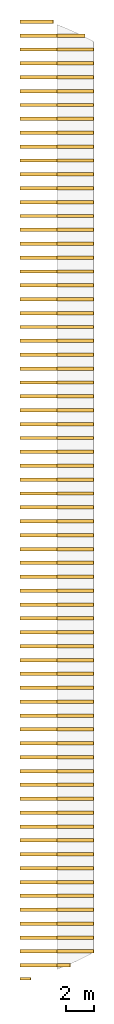
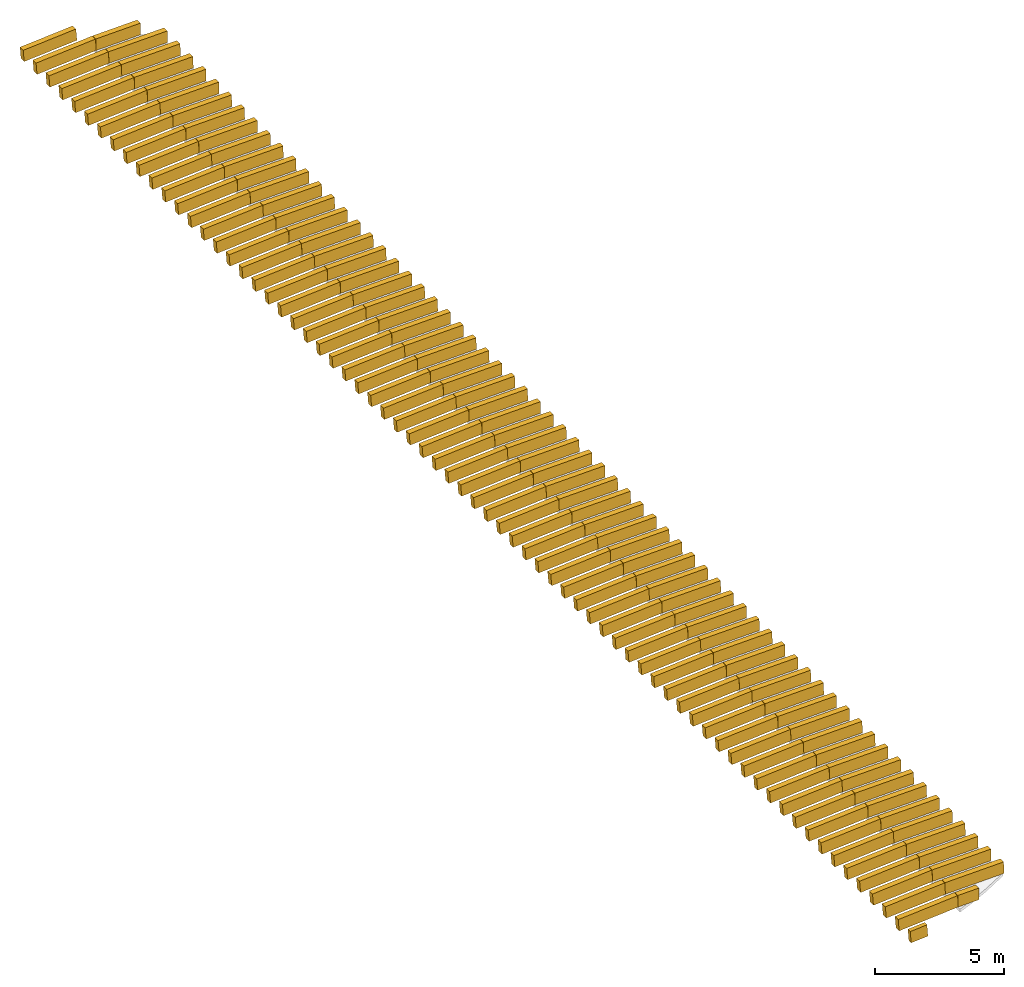
# One storey, part 2 of 2: 138 coverings.
"""IFC4 building model written with IfcOpenShell, lengths in metres."""

from ifc_helpers import new_model, si_unit, direction, frame, origin, place, context, subcontext, project, spatial, polyline, outline, extrude, material, type_object, element, save


model = new_model("IFC4")

# Units and contexts
model_context = context("Model", 3, precision=1e-05, world=origin(), true_north=direction((0.0, 1.0)))
body_context = subcontext(model_context, "Body", "Model", "MODEL_VIEW")
ifc_project = project(units=[si_unit("LENGTHUNIT", "METRE"), si_unit("AREAUNIT", "SQUARE_METRE"), si_unit("VOLUMEUNIT", "CUBIC_METRE"), si_unit("PLANEANGLEUNIT", "RADIAN"), si_unit("MASSUNIT", "GRAM", prefix="KILO")], contexts=[model_context])

# Site, building, storey
site_placement = place(None, origin())
site = spatial("IfcSite", under=ifc_project, at=site_placement, CompositionType="ELEMENT")
building_placement = place(site_placement, origin())
building = spatial("IfcBuilding", under=site, at=building_placement, Name="Wasatch Bagh Community Centre", CompositionType="ELEMENT")
storey_placement = place(building_placement, frame((0.0, 0.0, 35.448974609375)))
storey = spatial("IfcBuildingStorey", under=building, at=storey_placement, Name="Upper Roof 2", CompositionType="ELEMENT", Elevation=35.448974609375)

# Coverings
ifc_material = material(Name="ASTM A653 Grade 50 steel, zinc-aluminium coated", Category="steel")
covering_type = type_object("IfcCoveringType", Name="MH roll-over fin rib", PredefinedType="ROOFING", material=ifc_material)
covering_1_placement = place(storey_placement, frame((40.897216796875, 15.190185546875, 0.27587890625), z_axis=(-0.077464832684, 0.0, 0.996995085092), x_axis=(0.996995085092, 0.0, 0.077464832684)))
element("IfcCovering", 1, at=covering_1_placement, inside=storey, type_object=covering_type, Name="Seam rib 11.1", PredefinedType="ROOFING", context=body_context, shape_type="SweptSolid", body=[
    extrude(outline(polyline([(0.0, 0.0), (0.753239984559059, 0.0), (0.753239984559059, 0.18481445312499997), (0.0, 0.18481445312499997), (0.0, 0.0)])), origin(), (0.0, 0.0, -1.0), 0.550048828125),
])
for number, where, z_axis, x_axis, name in (
    (2, (40.897216796875, 16.125, 0.27587890625), (-0.077396069003, 0.0, 0.997000425528), (0.997000425528, 0.0, 0.077396069003), "Seam rib 11.2"),
    (3, (40.897216796875, 17.125, 0.27587890625), (-0.077396069003, 0.0, 0.997000425528), (0.997000425528, 0.0, 0.077396069003), "Seam rib 11.3"),
    (4, (40.897216796875, 18.125, 0.27587890625), (-0.077396069003, 0.0, 0.997000425528), (0.997000425528, 0.0, 0.077396069003), "Seam rib 11.4"),
    (5, (40.897216796875, 19.125, 0.27587890625), (-0.077396069003, 0.0, 0.997000425528), (0.997000425528, 0.0, 0.077396069003), "Seam rib 11.5"),
    (6, (40.897216796875, 20.125, 0.27587890625), (-0.077396069003, 0.0, 0.997000425528), (0.997000425528, 0.0, 0.077396069003), "Seam rib 11.6"),
    (7, (40.897216796875, 21.125, 0.27587890625), (-0.077396069003, 0.0, 0.997000425528), (0.997000425528, 0.0, 0.077396069003), "Seam rib 11.7"),
    (8, (40.897216796875, 22.125, 0.27587890625), (-0.077396069003, 0.0, 0.997000425528), (0.997000425528, 0.0, 0.077396069003), "Seam rib 11.8"),
    (9, (40.897216796875, 23.125, 0.27587890625), (-0.077396069003, 0.0, 0.997000425528), (0.997000425528, 0.0, 0.077396069003), "Seam rib 11.9"),
    (10, (40.897216796875, 24.125, 0.27587890625), (-0.077396069003, 0.0, 0.997000425528), (0.997000425528, 0.0, 0.077396069003), "Seam rib 11.10"),
    (11, (40.897216796875, 25.125, 0.27587890625), (-0.077396069003, 0.0, 0.997000425528), (0.997000425528, 0.0, 0.077396069003), "Seam rib 11.11"),
    (12, (40.897216796875, 26.125, 0.27587890625), (-0.077396069003, 0.0, 0.997000425528), (0.997000425528, 0.0, 0.077396069003), "Seam rib 11.12"),
    (13, (40.897216796875, 27.125, 0.27587890625), (-0.077396069003, 0.0, 0.997000425528), (0.997000425528, 0.0, 0.077396069003), "Seam rib 11.13"),
    (14, (40.897216796875, 28.125, 0.27587890625), (-0.077396069003, 0.0, 0.997000425528), (0.997000425528, 0.0, 0.077396069003), "Seam rib 11.14"),
    (15, (40.897216796875, 29.125, 0.27587890625), (-0.077396069003, 0.0, 0.997000425528), (0.997000425528, 0.0, 0.077396069003), "Seam rib 11.15"),
    (16, (40.897216796875, 30.125, 0.27587890625), (-0.077396069003, 0.0, 0.997000425528), (0.997000425528, 0.0, 0.077396069003), "Seam rib 11.16"),
    (17, (40.897216796875, 31.125, 0.27587890625), (-0.077396069003, 0.0, 0.997000425528), (0.997000425528, 0.0, 0.077396069003), "Seam rib 11.17"),
    (18, (40.897216796875, 32.125, 0.27587890625), (-0.077396069003, 0.0, 0.997000425528), (0.997000425528, 0.0, 0.077396069003), "Seam rib 11.18"),
    (19, (40.897216796875, 33.125, 0.27587890625), (-0.077396069003, 0.0, 0.997000425528), (0.997000425528, 0.0, 0.077396069003), "Seam rib 11.19"),
    (20, (40.897216796875, 34.125, 0.27587890625), (-0.077396069003, 0.0, 0.997000425528), (0.997000425528, 0.0, 0.077396069003), "Seam rib 11.20"),
    (21, (40.897216796875, 35.125, 0.27587890625), (-0.077396069003, 0.0, 0.997000425528), (0.997000425528, 0.0, 0.077396069003), "Seam rib 11.21"),
    (22, (40.897216796875, 36.125, 0.27587890625), (-0.077396069003, 0.0, 0.997000425528), (0.997000425528, 0.0, 0.077396069003), "Seam rib 11.22"),
    (23, (40.897216796875, 37.125, 0.27587890625), (-0.077396069003, 0.0, 0.997000425528), (0.997000425528, 0.0, 0.077396069003), "Seam rib 11.23"),
    (24, (40.897216796875, 38.125, 0.27587890625), (-0.077396069003, 0.0, 0.997000425528), (0.997000425528, 0.0, 0.077396069003), "Seam rib 11.24"),
    (25, (40.897216796875, 39.125, 0.27587890625), (-0.077396069003, 0.0, 0.997000425528), (0.997000425528, 0.0, 0.077396069003), "Seam rib 11.25"),
    (26, (40.897216796875, 40.125, 0.27587890625), (-0.077396069003, 0.0, 0.997000425528), (0.997000425528, 0.0, 0.077396069003), "Seam rib 11.26"),
    (27, (40.897216796875, 41.125, 0.27587890625), (-0.077396069003, 0.0, 0.997000425528), (0.997000425528, 0.0, 0.077396069003), "Seam rib 11.27"),
    (28, (40.897216796875, 42.125, 0.27587890625), (-0.077396069003, 0.0, 0.997000425528), (0.997000425528, 0.0, 0.077396069003), "Seam rib 11.28"),
    (29, (40.897216796875, 43.125, 0.27587890625), (-0.077396069003, 0.0, 0.997000425528), (0.997000425528, 0.0, 0.077396069003), "Seam rib 11.29"),
    (30, (40.897216796875, 44.125, 0.27587890625), (-0.077396069003, 0.0, 0.997000425528), (0.997000425528, 0.0, 0.077396069003), "Seam rib 11.30"),
    (31, (40.897216796875, 45.125, 0.27587890625), (-0.077396069003, 0.0, 0.997000425528), (0.997000425528, 0.0, 0.077396069003), "Seam rib 11.31"),
    (32, (40.897216796875, 46.125, 0.27587890625), (-0.077396069003, 0.0, 0.997000425528), (0.997000425528, 0.0, 0.077396069003), "Seam rib 11.32"),
    (33, (40.897216796875, 47.125, 0.27587890625), (-0.077396069003, 0.0, 0.997000425528), (0.997000425528, 0.0, 0.077396069003), "Seam rib 11.33"),
    (34, (40.897216796875, 48.125, 0.27587890625), (-0.077396069003, 0.0, 0.997000425528), (0.997000425528, 0.0, 0.077396069003), "Seam rib 11.34"),
    (35, (40.897216796875, 49.125, 0.27587890625), (-0.077396069003, 0.0, 0.997000425528), (0.997000425528, 0.0, 0.077396069003), "Seam rib 11.35"),
    (36, (40.897216796875, 50.125, 0.27587890625), (-0.077396069003, 0.0, 0.997000425528), (0.997000425528, 0.0, 0.077396069003), "Seam rib 11.36"),
    (37, (40.897216796875, 51.125, 0.27587890625), (-0.077396069003, 0.0, 0.997000425528), (0.997000425528, 0.0, 0.077396069003), "Seam rib 11.37"),
    (38, (40.897216796875, 52.125, 0.27587890625), (-0.077396069003, 0.0, 0.997000425528), (0.997000425528, 0.0, 0.077396069003), "Seam rib 11.38"),
    (39, (40.897216796875, 53.125, 0.27587890625), (-0.077396069003, 0.0, 0.997000425528), (0.997000425528, 0.0, 0.077396069003), "Seam rib 11.39"),
    (40, (40.897216796875, 54.125, 0.27587890625), (-0.077396069003, 0.0, 0.997000425528), (0.997000425528, 0.0, 0.077396069003), "Seam rib 11.40"),
    (41, (40.897216796875, 55.125, 0.27587890625), (-0.077396069003, 0.0, 0.997000425528), (0.997000425528, 0.0, 0.077396069003), "Seam rib 11.41"),
    (42, (40.897216796875, 56.125, 0.27587890625), (-0.077396069003, 0.0, 0.997000425528), (0.997000425528, 0.0, 0.077396069003), "Seam rib 11.42"),
    (43, (40.897216796875, 57.125, 0.27587890625), (-0.077396069003, 0.0, 0.997000425528), (0.997000425528, 0.0, 0.077396069003), "Seam rib 11.43"),
    (44, (40.897216796875, 58.125, 0.27587890625), (-0.077396069003, 0.0, 0.997000425528), (0.997000425528, 0.0, 0.077396069003), "Seam rib 11.44"),
    (45, (40.897216796875, 59.125, 0.27587890625), (-0.077396069003, 0.0, 0.997000425528), (0.997000425528, 0.0, 0.077396069003), "Seam rib 11.45"),
    (46, (40.897216796875, 60.125, 0.27587890625), (-0.077396069003, 0.0, 0.997000425528), (0.997000425528, 0.0, 0.077396069003), "Seam rib 11.46"),
    (47, (40.897216796875, 61.125, 0.27587890625), (-0.077396069003, 0.0, 0.997000425528), (0.997000425528, 0.0, 0.077396069003), "Seam rib 11.47"),
    (48, (40.897216796875, 62.125, 0.27587890625), (-0.077396069003, 0.0, 0.997000425528), (0.997000425528, 0.0, 0.077396069003), "Seam rib 11.48"),
    (49, (40.897216796875, 63.125, 0.27587890625), (-0.077396069003, 0.0, 0.997000425528), (0.997000425528, 0.0, 0.077396069003), "Seam rib 11.49"),
    (50, (40.897216796875, 64.125, 0.27587890625), (-0.077396069003, 0.0, 0.997000425528), (0.997000425528, 0.0, 0.077396069003), "Seam rib 11.50"),
    (51, (40.897216796875, 65.125, 0.27587890625), (-0.077396069003, 0.0, 0.997000425528), (0.997000425528, 0.0, 0.077396069003), "Seam rib 11.51"),
    (52, (40.897216796875, 66.125, 0.27587890625), (-0.077396069003, 0.0, 0.997000425528), (0.997000425528, 0.0, 0.077396069003), "Seam rib 11.52"),
    (53, (40.897216796875, 67.125, 0.27587890625), (-0.077396069003, 0.0, 0.997000425528), (0.997000425528, 0.0, 0.077396069003), "Seam rib 11.53"),
    (54, (40.897216796875, 68.125, 0.27587890625), (-0.077396069003, 0.0, 0.997000425528), (0.997000425528, 0.0, 0.077396069003), "Seam rib 11.54"),
    (55, (40.897216796875, 69.125, 0.27587890625), (-0.077396069003, 0.0, 0.997000425528), (0.997000425528, 0.0, 0.077396069003), "Seam rib 11.55"),
    (56, (40.897216796875, 70.125, 0.27587890625), (-0.077396069003, 0.0, 0.997000425528), (0.997000425528, 0.0, 0.077396069003), "Seam rib 11.56"),
    (57, (40.897216796875, 71.125, 0.27587890625), (-0.077396069003, 0.0, 0.997000425528), (0.997000425528, 0.0, 0.077396069003), "Seam rib 11.57"),
    (58, (40.897216796875, 72.125, 0.27587890625), (-0.077396069003, 0.0, 0.997000425528), (0.997000425528, 0.0, 0.077396069003), "Seam rib 11.58"),
    (59, (40.897216796875, 73.125, 0.27587890625), (-0.077396069003, 0.0, 0.997000425528), (0.997000425528, 0.0, 0.077396069003), "Seam rib 11.59"),
    (60, (40.897216796875, 74.125, 0.27587890625), (-0.077396069003, 0.0, 0.997000425528), (0.997000425528, 0.0, 0.077396069003), "Seam rib 11.60"),
    (61, (40.897216796875, 75.125, 0.27587890625), (-0.077396069003, 0.0, 0.997000425528), (0.997000425528, 0.0, 0.077396069003), "Seam rib 11.61"),
    (62, (40.897216796875, 76.125, 0.27587890625), (-0.077396069003, 0.0, 0.997000425528), (0.997000425528, 0.0, 0.077396069003), "Seam rib 11.62"),
    (63, (40.897216796875, 77.125, 0.27587890625), (-0.077396069003, 0.0, 0.997000425528), (0.997000425528, 0.0, 0.077396069003), "Seam rib 11.63"),
    (64, (40.897216796875, 78.125, 0.27587890625), (-0.077396069003, 0.0, 0.997000425528), (0.997000425528, 0.0, 0.077396069003), "Seam rib 11.64"),
    (65, (40.897216796875, 79.125, 0.27587890625), (-0.077396069003, 0.0, 0.997000425528), (0.997000425528, 0.0, 0.077396069003), "Seam rib 11.65"),
    (66, (40.897216796875, 80.125, 0.27587890625), (-0.077396069003, 0.0, 0.997000425528), (0.997000425528, 0.0, 0.077396069003), "Seam rib 11.66"),
    (67, (40.897216796875, 81.125, 0.27587890625), (-0.077396069003, 0.0, 0.997000425528), (0.997000425528, 0.0, 0.077396069003), "Seam rib 11.67"),
    (68, (40.897216796875, 82.125, 0.27587890625), (-0.077396069003, 0.0, 0.997000425528), (0.997000425528, 0.0, 0.077396069003), "Seam rib 11.68"),
    (69, (40.897216796875, 83.125, 0.27587890625), (-0.077396069003, 0.0, 0.997000425528), (0.997000425528, 0.0, 0.077396069003), "Seam rib 11.69"),
):
    element("IfcCovering", number, at=place(storey_placement, frame(where, z_axis=z_axis, x_axis=x_axis)), inside=storey, type_object=covering_type, Name=name, PredefinedType="ROOFING", context=body_context, shape_type="SweptSolid", body=[
        extrude(outline(polyline([(0.0, 0.0), (2.668649343696282, 0.0), (2.668649343696282, 0.25), (0.0, 0.25), (0.0, 0.0)])), origin(), (0.0, 0.0, -1.0), 0.550048828125),
    ])
covering_2_placement = place(storey_placement, frame((40.897216796875, 84.125, 0.27587890625), z_axis=(-0.077435688898, 0.0, 0.996997349086), x_axis=(0.996997349086, 0.0, 0.077435688898)))
element("IfcCovering", 70, at=covering_2_placement, inside=storey, type_object=covering_type, Name="Seam rib 11.70", PredefinedType="ROOFING", context=body_context, shape_type="SweptSolid", body=[
    extrude(outline(polyline([(0.0, 0.0), (2.3740718684401405, 0.0), (2.3740718684401405, 0.25), (0.0, 0.25), (0.0, 0.0)])), origin(), (0.0, 0.0, -1.0), 0.550048828125),
])
covering_3_placement = place(storey_placement, frame((43.573974609375, 16.125, 0.482177734375), z_axis=(-0.025799542884, 0.0, 0.999667136394), x_axis=(0.999667136394, 0.0, 0.025799542884)))
element("IfcCovering", 71, at=covering_3_placement, inside=storey, type_object=covering_type, Name="Seam rib 12.1", PredefinedType="ROOFING", context=body_context, shape_type="SweptSolid", body=[
    extrude(outline(polyline([(0.0, 0.0), (0.9368352758677804, 0.0), (0.9368352758677804, 0.25000000000000006), (0.0, 0.25000000000000006), (0.0, 0.0)])), origin(), (0.0, 0.0, -1.0), 0.550048828125),
])
for number, where, z_axis, x_axis, name in (
    (72, (43.573974609375, 17.125, 0.482177734375), (-0.025777536568, 0.0, 0.999667704094), (0.999667704094, 0.0, 0.025777536568), "Seam rib 12.2"),
    (73, (43.573974609375, 18.125, 0.482177734375), (-0.025777536568, 0.0, 0.999667704094), (0.999667704094, 0.0, 0.025777536568), "Seam rib 12.3"),
    (74, (43.573974609375, 19.125, 0.482177734375), (-0.025777536568, 0.0, 0.999667704094), (0.999667704094, 0.0, 0.025777536568), "Seam rib 12.4"),
    (75, (43.573974609375, 20.125, 0.482177734375), (-0.025777536568, 0.0, 0.999667704094), (0.999667704094, 0.0, 0.025777536568), "Seam rib 12.5"),
    (76, (43.573974609375, 21.125, 0.482177734375), (-0.025777536568, 0.0, 0.999667704094), (0.999667704094, 0.0, 0.025777536568), "Seam rib 12.6"),
    (77, (43.573974609375, 22.125, 0.482177734375), (-0.025777536568, 0.0, 0.999667704094), (0.999667704094, 0.0, 0.025777536568), "Seam rib 12.7"),
    (78, (43.573974609375, 23.125, 0.482177734375), (-0.025777536568, 0.0, 0.999667704094), (0.999667704094, 0.0, 0.025777536568), "Seam rib 12.8"),
    (79, (43.573974609375, 24.125, 0.482177734375), (-0.025777536568, 0.0, 0.999667704094), (0.999667704094, 0.0, 0.025777536568), "Seam rib 12.9"),
    (80, (43.573974609375, 25.125, 0.482177734375), (-0.025777536568, 0.0, 0.999667704094), (0.999667704094, 0.0, 0.025777536568), "Seam rib 12.10"),
    (81, (43.573974609375, 26.125, 0.482177734375), (-0.025777536568, 0.0, 0.999667704094), (0.999667704094, 0.0, 0.025777536568), "Seam rib 12.11"),
    (82, (43.573974609375, 27.125, 0.482177734375), (-0.025777536568, 0.0, 0.999667704094), (0.999667704094, 0.0, 0.025777536568), "Seam rib 12.12"),
    (83, (43.573974609375, 28.125, 0.482177734375), (-0.025777536568, 0.0, 0.999667704094), (0.999667704094, 0.0, 0.025777536568), "Seam rib 12.13"),
    (84, (43.573974609375, 29.125, 0.482177734375), (-0.025777536568, 0.0, 0.999667704094), (0.999667704094, 0.0, 0.025777536568), "Seam rib 12.14"),
    (85, (43.573974609375, 30.125, 0.482177734375), (-0.025777536568, 0.0, 0.999667704094), (0.999667704094, 0.0, 0.025777536568), "Seam rib 12.15"),
    (86, (43.573974609375, 31.125, 0.482177734375), (-0.025777536568, 0.0, 0.999667704094), (0.999667704094, 0.0, 0.025777536568), "Seam rib 12.16"),
    (87, (43.573974609375, 32.125, 0.482177734375), (-0.025777536568, 0.0, 0.999667704094), (0.999667704094, 0.0, 0.025777536568), "Seam rib 12.17"),
    (88, (43.573974609375, 33.125, 0.482177734375), (-0.025777536568, 0.0, 0.999667704094), (0.999667704094, 0.0, 0.025777536568), "Seam rib 12.18"),
    (89, (43.573974609375, 34.125, 0.482177734375), (-0.025777536568, 0.0, 0.999667704094), (0.999667704094, 0.0, 0.025777536568), "Seam rib 12.19"),
    (90, (43.573974609375, 35.125, 0.482177734375), (-0.025777536568, 0.0, 0.999667704094), (0.999667704094, 0.0, 0.025777536568), "Seam rib 12.20"),
    (91, (43.573974609375, 36.125, 0.482177734375), (-0.025777536568, 0.0, 0.999667704094), (0.999667704094, 0.0, 0.025777536568), "Seam rib 12.21"),
    (92, (43.573974609375, 37.125, 0.482177734375), (-0.025777536568, 0.0, 0.999667704094), (0.999667704094, 0.0, 0.025777536568), "Seam rib 12.22"),
    (93, (43.573974609375, 38.125, 0.482177734375), (-0.025777536568, 0.0, 0.999667704094), (0.999667704094, 0.0, 0.025777536568), "Seam rib 12.23"),
    (94, (43.573974609375, 39.125, 0.482177734375), (-0.025777536568, 0.0, 0.999667704094), (0.999667704094, 0.0, 0.025777536568), "Seam rib 12.24"),
    (95, (43.573974609375, 40.125, 0.482177734375), (-0.025777536568, 0.0, 0.999667704094), (0.999667704094, 0.0, 0.025777536568), "Seam rib 12.25"),
    (96, (43.573974609375, 41.125, 0.482177734375), (-0.025777536568, 0.0, 0.999667704094), (0.999667704094, 0.0, 0.025777536568), "Seam rib 12.26"),
    (97, (43.573974609375, 42.125, 0.482177734375), (-0.025777536568, 0.0, 0.999667704094), (0.999667704094, 0.0, 0.025777536568), "Seam rib 12.27"),
    (98, (43.573974609375, 43.125, 0.482177734375), (-0.025777536568, 0.0, 0.999667704094), (0.999667704094, 0.0, 0.025777536568), "Seam rib 12.28"),
    (99, (43.573974609375, 44.125, 0.482177734375), (-0.025777536568, 0.0, 0.999667704094), (0.999667704094, 0.0, 0.025777536568), "Seam rib 12.29"),
    (100, (43.573974609375, 45.125, 0.482177734375), (-0.025777536568, 0.0, 0.999667704094), (0.999667704094, 0.0, 0.025777536568), "Seam rib 12.30"),
    (101, (43.573974609375, 46.125, 0.482177734375), (-0.025777536568, 0.0, 0.999667704094), (0.999667704094, 0.0, 0.025777536568), "Seam rib 12.31"),
    (102, (43.573974609375, 47.125, 0.482177734375), (-0.025777536568, 0.0, 0.999667704094), (0.999667704094, 0.0, 0.025777536568), "Seam rib 12.32"),
    (103, (43.573974609375, 48.125, 0.482177734375), (-0.025777536568, 0.0, 0.999667704094), (0.999667704094, 0.0, 0.025777536568), "Seam rib 12.33"),
    (104, (43.573974609375, 49.125, 0.482177734375), (-0.025777536568, 0.0, 0.999667704094), (0.999667704094, 0.0, 0.025777536568), "Seam rib 12.34"),
    (105, (43.573974609375, 50.125, 0.482177734375), (-0.025777536568, 0.0, 0.999667704094), (0.999667704094, 0.0, 0.025777536568), "Seam rib 12.35"),
    (106, (43.573974609375, 51.125, 0.482177734375), (-0.025777536568, 0.0, 0.999667704094), (0.999667704094, 0.0, 0.025777536568), "Seam rib 12.36"),
    (107, (43.573974609375, 52.125, 0.482177734375), (-0.025777536568, 0.0, 0.999667704094), (0.999667704094, 0.0, 0.025777536568), "Seam rib 12.37"),
    (108, (43.573974609375, 53.125, 0.482177734375), (-0.025777536568, 0.0, 0.999667704094), (0.999667704094, 0.0, 0.025777536568), "Seam rib 12.38"),
    (109, (43.573974609375, 54.125, 0.482177734375), (-0.025777536568, 0.0, 0.999667704094), (0.999667704094, 0.0, 0.025777536568), "Seam rib 12.39"),
    (110, (43.573974609375, 55.125, 0.482177734375), (-0.025777536568, 0.0, 0.999667704094), (0.999667704094, 0.0, 0.025777536568), "Seam rib 12.40"),
    (111, (43.573974609375, 56.125, 0.482177734375), (-0.025777536568, 0.0, 0.999667704094), (0.999667704094, 0.0, 0.025777536568), "Seam rib 12.41"),
    (112, (43.573974609375, 57.125, 0.482177734375), (-0.025777536568, 0.0, 0.999667704094), (0.999667704094, 0.0, 0.025777536568), "Seam rib 12.42"),
    (113, (43.573974609375, 58.125, 0.482177734375), (-0.025777536568, 0.0, 0.999667704094), (0.999667704094, 0.0, 0.025777536568), "Seam rib 12.43"),
    (114, (43.573974609375, 59.125, 0.482177734375), (-0.025777536568, 0.0, 0.999667704094), (0.999667704094, 0.0, 0.025777536568), "Seam rib 12.44"),
    (115, (43.573974609375, 60.125, 0.482177734375), (-0.025777536568, 0.0, 0.999667704094), (0.999667704094, 0.0, 0.025777536568), "Seam rib 12.45"),
    (116, (43.573974609375, 61.125, 0.482177734375), (-0.025777536568, 0.0, 0.999667704094), (0.999667704094, 0.0, 0.025777536568), "Seam rib 12.46"),
    (117, (43.573974609375, 62.125, 0.482177734375), (-0.025777536568, 0.0, 0.999667704094), (0.999667704094, 0.0, 0.025777536568), "Seam rib 12.47"),
    (118, (43.573974609375, 63.125, 0.482177734375), (-0.025777536568, 0.0, 0.999667704094), (0.999667704094, 0.0, 0.025777536568), "Seam rib 12.48"),
    (119, (43.573974609375, 64.125, 0.482177734375), (-0.025777536568, 0.0, 0.999667704094), (0.999667704094, 0.0, 0.025777536568), "Seam rib 12.49"),
    (120, (43.573974609375, 65.125, 0.482177734375), (-0.025777536568, 0.0, 0.999667704094), (0.999667704094, 0.0, 0.025777536568), "Seam rib 12.50"),
    (121, (43.573974609375, 66.125, 0.482177734375), (-0.025777536568, 0.0, 0.999667704094), (0.999667704094, 0.0, 0.025777536568), "Seam rib 12.51"),
    (122, (43.573974609375, 67.125, 0.482177734375), (-0.025777536568, 0.0, 0.999667704094), (0.999667704094, 0.0, 0.025777536568), "Seam rib 12.52"),
    (123, (43.573974609375, 68.125, 0.482177734375), (-0.025777536568, 0.0, 0.999667704094), (0.999667704094, 0.0, 0.025777536568), "Seam rib 12.53"),
    (124, (43.573974609375, 69.125, 0.482177734375), (-0.025777536568, 0.0, 0.999667704094), (0.999667704094, 0.0, 0.025777536568), "Seam rib 12.54"),
    (125, (43.573974609375, 70.125, 0.482177734375), (-0.025777536568, 0.0, 0.999667704094), (0.999667704094, 0.0, 0.025777536568), "Seam rib 12.55"),
    (126, (43.573974609375, 71.125, 0.482177734375), (-0.025777536568, 0.0, 0.999667704094), (0.999667704094, 0.0, 0.025777536568), "Seam rib 12.56"),
    (127, (43.573974609375, 72.125, 0.482177734375), (-0.025777536568, 0.0, 0.999667704094), (0.999667704094, 0.0, 0.025777536568), "Seam rib 12.57"),
    (128, (43.573974609375, 73.125, 0.482177734375), (-0.025777536568, 0.0, 0.999667704094), (0.999667704094, 0.0, 0.025777536568), "Seam rib 12.58"),
    (129, (43.573974609375, 74.125, 0.482177734375), (-0.025777536568, 0.0, 0.999667704094), (0.999667704094, 0.0, 0.025777536568), "Seam rib 12.59"),
    (130, (43.573974609375, 75.125, 0.482177734375), (-0.025777536568, 0.0, 0.999667704094), (0.999667704094, 0.0, 0.025777536568), "Seam rib 12.60"),
    (131, (43.573974609375, 76.125, 0.482177734375), (-0.025777536568, 0.0, 0.999667704094), (0.999667704094, 0.0, 0.025777536568), "Seam rib 12.61"),
    (132, (43.573974609375, 77.125, 0.482177734375), (-0.025777536568, 0.0, 0.999667704094), (0.999667704094, 0.0, 0.025777536568), "Seam rib 12.62"),
    (133, (43.573974609375, 78.125, 0.482177734375), (-0.025777536568, 0.0, 0.999667704094), (0.999667704094, 0.0, 0.025777536568), "Seam rib 12.63"),
    (134, (43.573974609375, 79.125, 0.482177734375), (-0.025777536568, 0.0, 0.999667704094), (0.999667704094, 0.0, 0.025777536568), "Seam rib 12.64"),
    (135, (43.573974609375, 80.125, 0.482177734375), (-0.025777536568, 0.0, 0.999667704094), (0.999667704094, 0.0, 0.025777536568), "Seam rib 12.65"),
    (136, (43.573974609375, 81.125, 0.482177734375), (-0.025777536568, 0.0, 0.999667704094), (0.999667704094, 0.0, 0.025777536568), "Seam rib 12.66"),
    (137, (43.573974609375, 82.125, 0.482177734375), (-0.025777536568, 0.0, 0.999667704094), (0.999667704094, 0.0, 0.025777536568), "Seam rib 12.67"),
):
    element("IfcCovering", number, at=place(storey_placement, frame(where, z_axis=z_axis, x_axis=x_axis)), inside=storey, type_object=covering_type, Name=name, PredefinedType="ROOFING", context=body_context, shape_type="SweptSolid", body=[
        extrude(outline(polyline([(0.0, 0.0), (2.6329549982917158, 0.0), (2.6329549982917158, 0.25000000000000006), (0.0, 0.25000000000000006), (0.0, 0.0)])), origin(), (0.0, 0.0, -1.0), 0.550048828125),
    ])
covering_4_placement = place(storey_placement, frame((43.573974609375, 83.125, 0.482177734375), z_axis=(-0.025764011132, 0.0, 0.999668052771), x_axis=(0.999668052771, 0.0, 0.025764011132)))
element("IfcCovering", 138, at=covering_4_placement, inside=storey, type_object=covering_type, Name="Seam rib 12.68", PredefinedType="ROOFING", context=body_context, shape_type="SweptSolid", body=[
    extrude(outline(polyline([(0.0, 0.0), (1.999443006441085, 0.0), (1.999443006441085, 0.25), (0.0, 0.25), (0.0, 0.0)])), origin(), (0.0, 0.0, -1.0), 0.550048828125),
])

save(model, "model.ifc")
